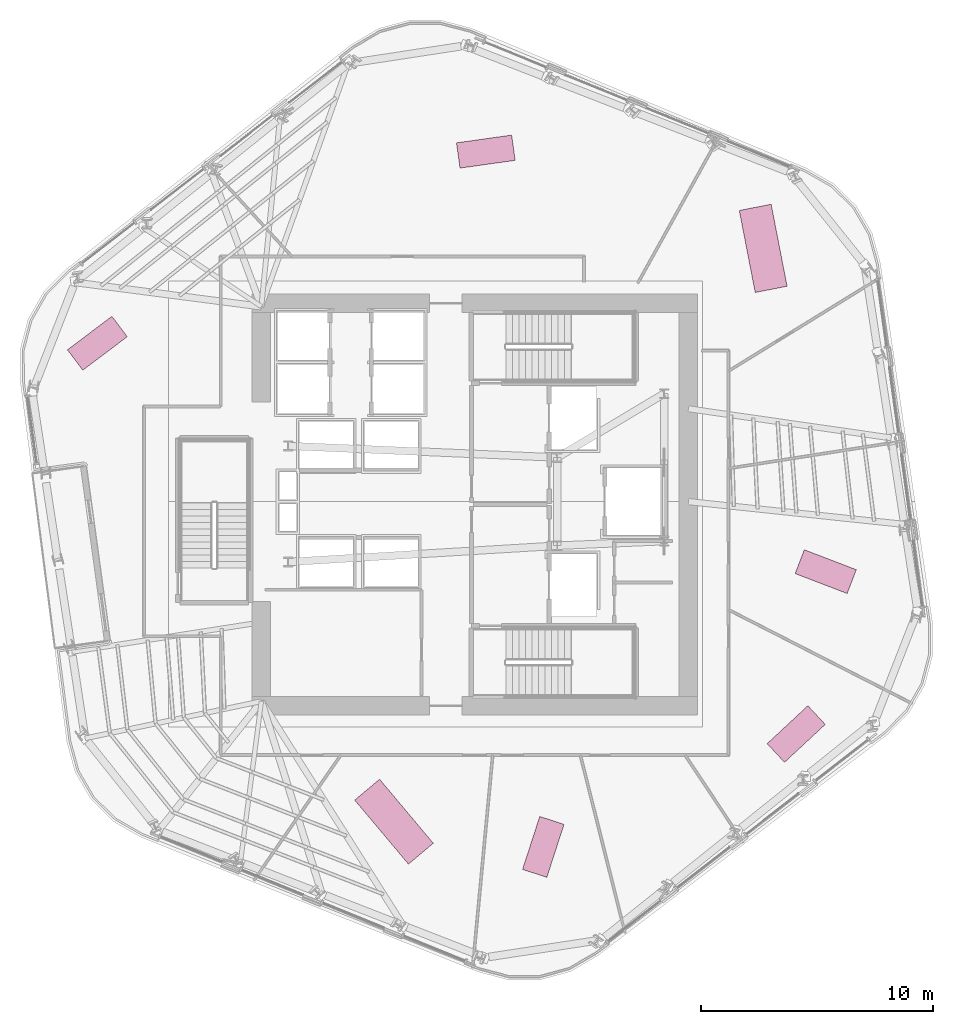
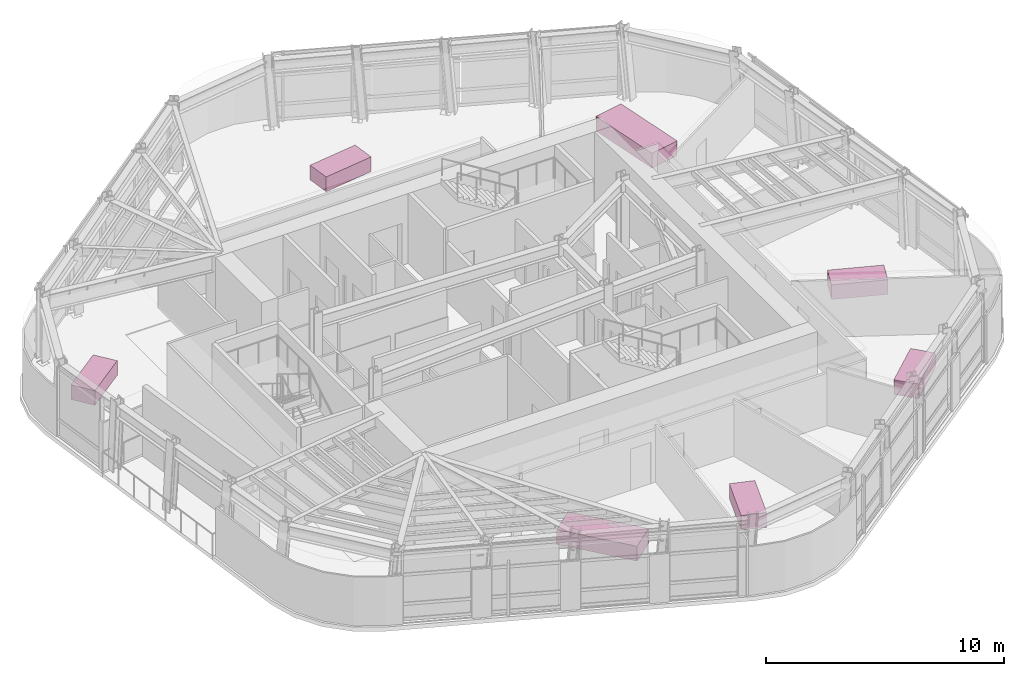
# One storey, part 15 of 15: 7 furniture elements.
"""IFC4 building model written with IfcOpenShell, lengths in metres."""

from ifc_helpers import new_model, si_unit, direction, frame, origin, origin_2d, place, context, subcontext, project, spatial, rectangle, extrude, material, type_object, element, save


model = new_model("IFC4")

# Units and contexts
model_context = context("Model", 3, precision=1e-05, world=origin(), true_north=direction((0.0, 1.0)))
body_context = subcontext(model_context, "Body", "Model", "MODEL_VIEW")
ifc_project = project(units=[si_unit("LENGTHUNIT", "METRE"), si_unit("AREAUNIT", "SQUARE_METRE"), si_unit("VOLUMEUNIT", "CUBIC_METRE"), si_unit("PLANEANGLEUNIT", "RADIAN"), si_unit("MASSUNIT", "GRAM", prefix="KILO")], contexts=[model_context])

# Site, building, storey
site_placement = place(None, origin())
site = spatial("IfcSite", under=ifc_project, at=site_placement, CompositionType="ELEMENT")
building_placement = place(site_placement, origin())
building = spatial("IfcBuilding", under=site, at=building_placement, Name="Valkerne Bourse Tower", CompositionType="ELEMENT")
storey_placement = place(building_placement, frame((0.0, 0.0, 185.60009765625)))
storey = spatial("IfcBuildingStorey", under=building, at=storey_placement, Name="L47", CompositionType="ELEMENT", Elevation=185.60009765625)

# Furniture
ifc_material = material(Name="Architectural White Oak Timber", Category="wood")
furniture_type_1 = type_object("IfcFurnitureType", Name="FURN-CONF-3600", AssemblyPlace="NOTDEFINED", PredefinedType="TABLE", material=ifc_material)
for number, where, z_axis, x_axis, name in (
    (1, (59.219970703125, 37.909912109375, 0.044921875), (0.0, 0.0, 1.0), (-0.190808995377, 0.981627183448, 0.0), "L47 Suite Worktable 08"),
    (2, (43.31494140625, 13.2099609375, 0.044921875), (0.0, 0.0, 1.0), (-0.642787609687, 0.766044443119, 0.0), "L47 Suite Worktable 09"),
):
    element("IfcFurniture", number, at=place(storey_placement, frame(where, z_axis=z_axis, x_axis=x_axis)), inside=storey, type_object=furniture_type_1, Name=name, PredefinedType="TABLE", context=body_context, shape_type="SweptSolid", body=[
        extrude(rectangle(XDim=3.60009765625, YDim=1.39990234375, at=origin_2d()), origin(), (0.0, 0.0, 1.0), 0.760009765625),
    ])
furniture_type_2 = type_object("IfcFurnitureType", Name="FURN-DESK-2400", AssemblyPlace="NOTDEFINED", PredefinedType="DESK", material=ifc_material)
for number, where, z_axis, x_axis, name in (
    (3, (60.64208984375, 16.986083984375, 0.044921875), (0.0, 0.0, 1.0), (0.731353701619, 0.681998360062, 0.0), "L47 Suite Worktable 06"),
    (4, (49.74609375, 12.1240234375, 0.044921875), (0.0, 0.0, 1.0), (0.309016994375, 0.951056516295, 0.0), "L47 Suite Worktable 07"),
    (5, (61.9140625, 23.98291015625, 0.044921875), (0.0, 0.0, 1.0), (-0.933580426497, 0.358367949545, 0.0), "L47 Suite Worktable 10"),
    (6, (47.27001953125, 42.0791015625, 0.044921875), (0.0, 0.0, 1.0), (0.990268068742, 0.13917310096, 0.0), "L47 Suite Worktable 11"),
    (7, (30.533935546875, 33.822021484375, 0.044921875), (0.0, 0.0, 1.0), (0.798635510047, 0.601815023152, 0.0), "L47 Suite Worktable 12"),
):
    element("IfcFurniture", number, at=place(storey_placement, frame(where, z_axis=z_axis, x_axis=x_axis)), inside=storey, type_object=furniture_type_2, Name=name, PredefinedType="DESK", context=body_context, shape_type="SweptSolid", body=[
        extrude(rectangle(XDim=2.39990234375, YDim=1.10009765625, at=origin_2d()), origin(), (0.0, 0.0, 1.0), 0.75),
    ])

save(model, "model.ifc")
